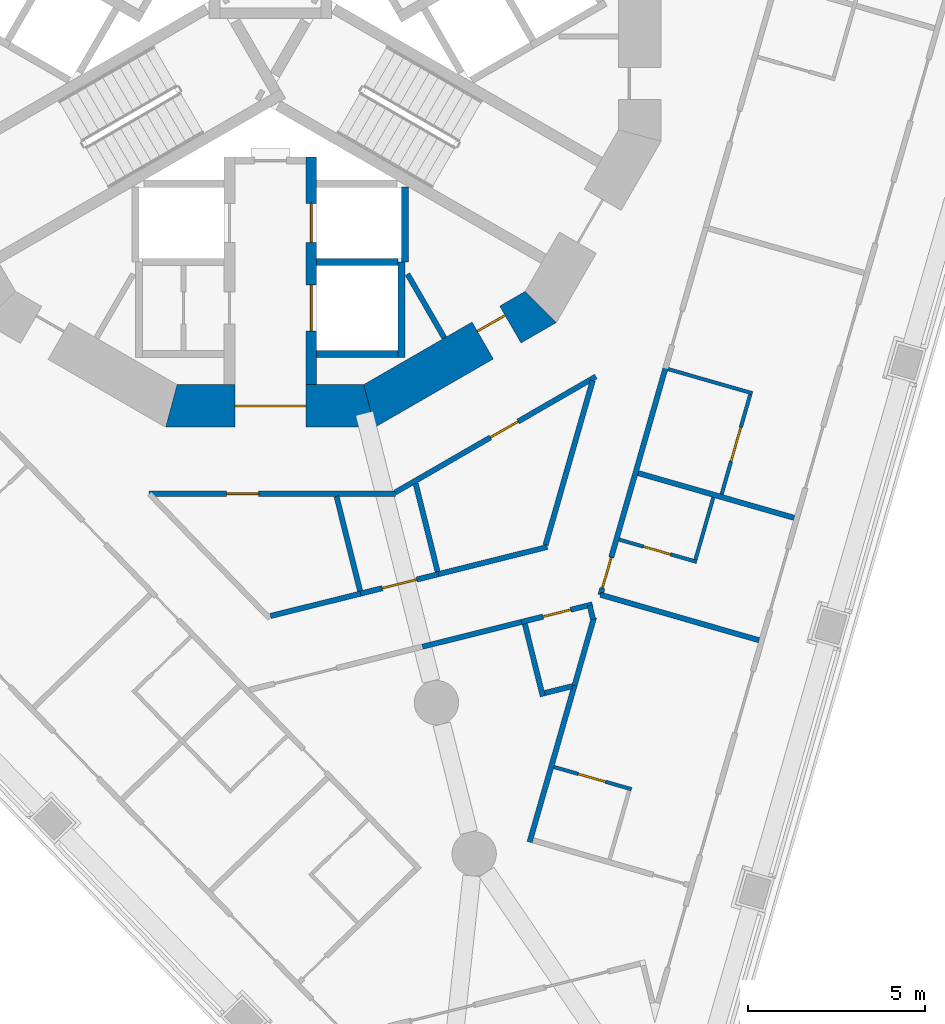
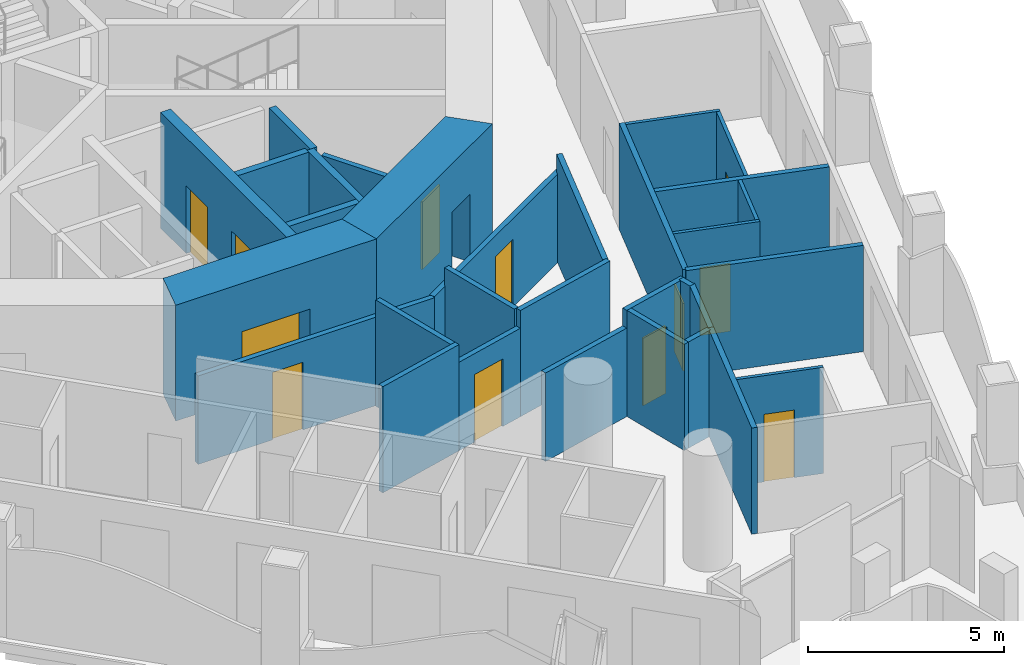
# One storey, part 4 of 18: 31 walls, 12 doors, 12 openings.
"""IFC4 building model written with IfcOpenShell, lengths in metres."""

import ifcopenshell
import ifcopenshell.guid

model = None  # the IFC model being written
_history = None  # IfcOwnerHistory: only IFC2X3 demands one
_inside = {}  # id of a spatial element -> (the spatial element, [elements in it])
_under = {}  # id of a project, library or spatial element -> (it, [spatial elements below it])
_declared = {}  # id of a project -> (the project, [libraries it declares])
_typed = {}  # id of a type object -> (the type object, [elements of that type])
_made_of = {}  # id of a material, layer set ... -> (it, [elements and type objects made of it])


def new_model(schema):
    """Start an empty IFC model of exactly this schema.

    Asked for "IFC4X3", IfcOpenShell would pick the latest addendum, in which some entities
    have other attributes; the version numbers below select the first issue.
    IFC2X3 requires an IfcOwnerHistory on every rooted entity: one is made here for all.
    """
    global model, _history
    if schema == "IFC4X3":
        model = ifcopenshell.file(schema_version=(4, 3, 0, 0))
    else:
        model = ifcopenshell.file(schema=schema)
    _inside.clear()
    _under.clear()
    _declared.clear()
    _typed.clear()
    _made_of.clear()
    _history = None
    if model.schema == "IFC2X3":
        org = make("IfcOrganization", Name="unknown")
        user = make(
            "IfcPersonAndOrganization",
            ThePerson=make("IfcPerson", FamilyName="unknown"),
            TheOrganization=org,
        )
        app = make(
            "IfcApplication",
            ApplicationDeveloper=org,
            Version="unknown",
            ApplicationFullName="unknown",
            ApplicationIdentifier="unknown",
        )
        _history = make(
            "IfcOwnerHistory",
            OwningUser=user,
            OwningApplication=app,
            ChangeAction="ADDED",
            CreationDate=0,
        )
    return model


def make(cls, **values):
    """One entity of the class cls with the attributes given. An attribute that is None is left unset."""
    return model.create_entity(
        cls, **{name: value for name, value in values.items() if value is not None}
    )


def rooted(cls, **values):
    """An entity with a GlobalId (a new one), such as an element, a storey or a relation."""
    return make(cls, GlobalId=ifcopenshell.guid.new(), OwnerHistory=_history, **values)


def si_unit(unit_type, name, prefix=None):
    """IfcSIUnit, for example si_unit("LENGTHUNIT", "METRE", prefix="MILLI")."""
    return make("IfcSIUnit", UnitType=unit_type, Prefix=prefix, Name=name)


def assignment(units):
    """IfcUnitAssignment: the units of a project."""
    return None if units is None else make("IfcUnitAssignment", Units=units)


def point(xyz):
    """IfcCartesianPoint."""
    return None if xyz is None else make("IfcCartesianPoint", Coordinates=xyz)


def direction(xyz):
    """IfcDirection."""
    return None if xyz is None else make("IfcDirection", DirectionRatios=xyz)


def frame(location, z_axis=None, x_axis=None):
    """IfcAxis2Placement3D, a coordinate frame: its origin and axes. An axis left out is left unset."""
    return make(
        "IfcAxis2Placement3D",
        Location=point(location),
        Axis=direction(z_axis),
        RefDirection=direction(x_axis),
    )


def frame_2d(location, x_axis=None):
    """IfcAxis2Placement2D, a coordinate frame in the plane: its origin and x axis."""
    return make(
        "IfcAxis2Placement2D", Location=point(location), RefDirection=direction(x_axis)
    )


def origin():
    """The frame at (0, 0, 0) with its axes left unset."""
    return frame((0.0, 0.0, 0.0))


def place(relative_to, where):
    """IfcLocalPlacement: puts the frame where relative to a parent placement (None: the world)."""
    return make(
        "IfcLocalPlacement", PlacementRelTo=relative_to, RelativePlacement=where
    )


def context(
    kind, dimensions, precision=None, world=None, true_north=None, identifier=None
):
    """IfcGeometricRepresentationContext, for example the 3D "Model" context."""
    return make(
        "IfcGeometricRepresentationContext",
        ContextIdentifier=identifier,
        ContextType=kind,
        CoordinateSpaceDimension=dimensions,
        Precision=precision,
        WorldCoordinateSystem=world,
        TrueNorth=true_north,
    )


def subcontext(parent, identifier, kind, view, scale=None):
    """IfcGeometricRepresentationSubContext, for example "Body" below "Model"."""
    return make(
        "IfcGeometricRepresentationSubContext",
        ContextIdentifier=identifier,
        ContextType=kind,
        ParentContext=parent,
        TargetScale=scale,
        TargetView=view,
    )


def project(units=None, contexts=None):
    """IfcProject with its units and contexts."""
    return rooted(
        "IfcProject",
        Name="project",
        RepresentationContexts=contexts,
        UnitsInContext=assignment(units),
    )


def spatial(cls, under=None, at=None, **own):
    """A site, building, storey or space (cls), placed at a placement, below another one or the project."""
    s = rooted(cls, ObjectPlacement=at, **own)
    if under is not None:
        _under.setdefault(under.id(), (under, []))[1].append(s)
    return s


def polyline(points):
    """IfcPolyline through the points."""
    return make("IfcPolyline", Points=[point(p) for p in points])


def profile(cls, at=None, kind="AREA", **sizes):
    """A parametric profile (cls). Its sizes go by their IFC names, for example OverallWidth=200.0."""
    return make(cls, ProfileType=kind, Position=at, **sizes)


def rectangle(**sizes):
    """IfcRectangleProfileDef."""
    return profile("IfcRectangleProfileDef", **sizes)


def outline(outer, holes=None, kind="AREA"):
    """IfcArbitraryClosedProfileDef: a profile drawn as a closed curve; with holes, ...WithVoids."""
    if holes is None:
        return make("IfcArbitraryClosedProfileDef", ProfileType=kind, OuterCurve=outer)
    return make(
        "IfcArbitraryProfileDefWithVoids",
        ProfileType=kind,
        OuterCurve=outer,
        InnerCurves=holes,
    )


def extrude(swept, where, along, depth):
    """IfcExtrudedAreaSolid: the profile swept, set in the frame where, extruded along a direction by depth."""
    return make(
        "IfcExtrudedAreaSolid",
        SweptArea=swept,
        Position=where,
        ExtrudedDirection=direction(along),
        Depth=depth,
    )


def shape(context_of_items, identifier, shape_type, items):
    """IfcShapeRepresentation: the items that make up one representation, for example the "Body"."""
    return make(
        "IfcShapeRepresentation",
        ContextOfItems=context_of_items,
        RepresentationIdentifier=identifier,
        RepresentationType=shape_type,
        Items=items,
    )


def material(Name=None, Category=None):
    """IfcMaterial."""
    return make("IfcMaterial", Name=Name, Category=Category)


def layer(
    of_material, thickness, ventilated=None, Name=None, Category=None, Priority=None
):
    """IfcMaterialLayer: one layer of a wall or slab, of a material (None: an air gap)."""
    return make(
        "IfcMaterialLayer",
        Material=of_material,
        LayerThickness=thickness,
        IsVentilated=ventilated,
        Name=Name,
        Category=Category,
        Priority=Priority,
    )


def layer_set(layers, Name=None):
    """IfcMaterialLayerSet."""
    return make("IfcMaterialLayerSet", MaterialLayers=layers, LayerSetName=Name)


def made_of(thing, what):
    """Note that an element or type object is made of a material, layer set ...; save() writes the relation."""
    if what is not None:
        _made_of.setdefault(what.id(), (what, []))[1].append(thing)
    return thing


def type_object(cls, material=None, **own):
    """A type object (cls), such as IfcWallType, which elements share."""
    return made_of(rooted(cls, **own), material)


def element(
    cls,
    number,
    at=None,
    inside=None,
    cuts=None,
    type_object=None,
    material=None,
    context=None,
    identifier="Body",
    shape_type=None,
    held_by="IfcProductDefinitionShape",
    body=None,
    shapes=None,
    **own,
):
    """One element of the class cls, such as IfcWall. Its Tag is "e" and its number.

    at: its placement. inside: the storey or other place that contains it. cuts: it is an
    opening in that element (IfcRelVoidsElement). A single representation is given by context,
    identifier, shape_type and body (its items); several are given by shapes. held_by: the class
    of the entity that holds the representations. save() writes the other relations.
    """
    e = rooted(cls, Tag="e%d" % number, ObjectPlacement=at, **own)
    if body is not None:
        shapes = [shape(context, identifier, shape_type, body)]
    if shapes is not None:
        e.Representation = make(held_by, Representations=shapes)
    if inside is not None:
        _inside.setdefault(inside.id(), (inside, []))[1].append(e)
    if cuts is not None:
        rooted(
            "IfcRelVoidsElement", RelatingBuildingElement=cuts, RelatedOpeningElement=e
        )
    if type_object is not None:
        _typed.setdefault(type_object.id(), (type_object, []))[1].append(e)
    return made_of(e, material)


def fill(opening, filler):
    """IfcRelFillsElement: the door or window that sits in an opening."""
    return rooted(
        "IfcRelFillsElement",
        RelatingOpeningElement=opening,
        RelatedBuildingElement=filler,
    )


def aggregate(whole, parts):
    """IfcRelAggregates: a whole, such as a stair, and the parts it consists of."""
    return rooted("IfcRelAggregates", RelatingObject=whole, RelatedObjects=parts)


def save(model, path):
    """Write the relations noted so far, then the file.

    IfcRelAggregates (storeys below a building ...), IfcRelContainedInSpatialStructure (elements
    in a storey), IfcRelDefinesByType, IfcRelAssociatesMaterial and IfcRelDeclares: one each for
    every whole, place, type object, material and project.
    """
    for whole, parts in _under.values():
        aggregate(whole, parts)
    for where, things in _inside.values():
        rooted(
            "IfcRelContainedInSpatialStructure",
            RelatedElements=things,
            RelatingStructure=where,
        )
    for kind, things in _typed.values():
        rooted("IfcRelDefinesByType", RelatedObjects=things, RelatingType=kind)
    for what, things in _made_of.values():
        rooted("IfcRelAssociatesMaterial", RelatedObjects=things, RelatingMaterial=what)
    for by, libraries in _declared.values():
        rooted("IfcRelDeclares", RelatingContext=by, RelatedDefinitions=libraries)
    model.write(path)


model = new_model("IFC4")

# Units and contexts
model_context = context("Model", 3, precision=1e-05, world=origin(), true_north=direction((0.0, 1.0)))
body_context = subcontext(model_context, "Body", "Model", "MODEL_VIEW")
ifc_project = project(units=[si_unit("LENGTHUNIT", "METRE"), si_unit("AREAUNIT", "SQUARE_METRE"), si_unit("VOLUMEUNIT", "CUBIC_METRE"), si_unit("PLANEANGLEUNIT", "RADIAN"), si_unit("MASSUNIT", "GRAM", prefix="KILO")], contexts=[model_context])

# Site, building, storey
site_placement = place(None, origin())
site = spatial("IfcSite", under=ifc_project, at=site_placement, CompositionType="ELEMENT")
building_placement = place(site_placement, origin())
building = spatial("IfcBuilding", under=site, at=building_placement, Name="Trine Commons Tower", CompositionType="ELEMENT")
storey_placement = place(building_placement, frame((0.0, 0.0, 94.5)))
storey = spatial("IfcBuildingStorey", under=building, at=storey_placement, Name="L23", CompositionType="ELEMENT", Elevation=94.5)

# Wall
ifc_material_1 = material(Name="Plasterboard partition on steel studs", Category="steel")
ifc_layer_1 = layer(ifc_material_1, 0.14990234375)
ifc_layer_set_1 = layer_set([ifc_layer_1], Name="Plasterboard partition on steel studs")
wall_type_1 = type_object("IfcWallType", Name="Core room partition 150 mm, EI 60", PredefinedType="PARTITIONING", material=ifc_layer_set_1)
wall_1_placement = place(storey_placement, frame((84.905029296875, 54.0029296875, 0.0), z_axis=(0.0, 0.0, 1.0), x_axis=(-0.5000780968, 0.865980309881, 0.0)))
element("IfcWall", 1, at=wall_1_placement, inside=storey, type_object=wall_type_1, Name="Core room partition L23", PredefinedType="PARTITIONING", context=body_context, shape_type="SweptSolid", body=[
    extrude(rectangle(XDim=2.079833984375, YDim=0.14990234375, at=frame_2d((1.0400390625, 0.0))), origin(), (0.0, 0.0, 1.0), 3.300048828125),
])

# Wall, opening, door
ifc_material_2 = material(Name="Concrete C70/85", Category="concrete")
ifc_layer_2 = layer(ifc_material_2, 1.199951171875)
ifc_layer_set_2 = layer_set([ifc_layer_2], Name="Concrete C70/85")
wall_type_2 = type_object("IfcWallType", Name="RC shear wall 1200 mm, C70/85", PredefinedType="SHEAR", material=ifc_layer_set_2)
wall_2_placement = place(storey_placement, frame((77.049560546875, 52.08837890625, 0.0), z_axis=(0.0, 0.0, 1.0), x_axis=(1.0, 0.0, 0.0)))
wall_2 = element("IfcWall", 2, at=wall_2_placement, inside=storey, type_object=wall_type_2, Name="Core wall CWC-10 L23", PredefinedType="SHEAR", context=body_context, shape_type="SweptSolid", body=[
    extrude(outline(polyline([(0.0, -0.60009765625), (5.90087890625, -0.60009765625), (5.57958984375, 0.60009765625), (0.321533203125, 0.60009765625), (0.0, -0.60009765625)])), origin(), (0.0, 0.0, 1.0), 3.60009765625),
])
opening_1_placement = place(wall_2_placement, frame((1.950439453125, 0.0, 0.0)))
opening_1 = element("IfcOpeningElement", 3, at=opening_1_placement, cuts=wall_2, Name="Opening K06.08", PredefinedType="OPENING", context=body_context, shape_type="SweptSolid", body=[
    extrude(rectangle(XDim=2.0, YDim=2.10009765625, at=frame_2d((1.0, 1.050048828125))), frame((0.0, 0.60986328125, 0.0), z_axis=(0.0, -1.0, 0.0), x_axis=(1.0, 0.0, 0.0)), (0.0, 0.0, 1.0), 1.219970703125),
])
ifc_material_3 = material(Name="Steel door leaves, fire-rated", Category="steel")
door_type_1 = type_object("IfcDoorType", Name="Lobby door, double leaf 2000 x 2100, FD60", OperationType="DOUBLE_DOOR_SINGLE_SWING", PredefinedType="DOOR", material=ifc_material_3)
door_1_placement = place(opening_1_placement, origin())
door_1 = element("IfcDoor", 4, at=door_1_placement, inside=storey, type_object=door_type_1, Name="Lobby door, Service and firefighting lobby L23", OperationType="DOUBLE_DOOR_SINGLE_SWING", OverallHeight=2.10009765625, OverallWidth=2.0, PredefinedType="DOOR", context=body_context, shape_type="SweptSolid", body=[
    extrude(rectangle(XDim=2.0, YDim=2.10009765625, at=frame_2d((1.0, 1.050048828125))), frame((0.0, 0.02490234375, 0.0), z_axis=(0.0, -1.0, 0.0), x_axis=(1.0, 0.0, 0.0)), (0.0, 0.0, 1.0), 0.050048828125),
])
fill(opening_1, door_1)

wall_3_placement = place(storey_placement, frame((82.650390625, 52.008056640625, 0.0), z_axis=(0.0, 0.0, 1.0), x_axis=(0.866037463336, 0.499979111662, 0.0)))
wall_3 = element("IfcWall", 5, at=wall_3_placement, inside=storey, type_object=wall_type_2, Name="Core wall CWC-11 L23", PredefinedType="SHEAR", context=body_context, shape_type="SweptSolid", body=[
    extrude(outline(polyline([(0.0, -0.60009765625), (5.901123046875, -0.60009765625), (5.57958984375, 0.60009765625), (0.321533203125, 0.60009765625), (0.0, -0.60009765625)])), origin(), (0.0, 0.0, 1.0), 3.60009765625),
])
opening_2_placement = place(wall_3_placement, frame((3.849853515625, 0.0, 0.0)))
opening_2 = element("IfcOpeningElement", 6, at=opening_2_placement, cuts=wall_3, Name="Opening K06.16", PredefinedType="OPENING", context=body_context, shape_type="SweptSolid", body=[
    extrude(rectangle(XDim=0.89990234375, YDim=2.10009765625, at=frame_2d((0.449951171875, 1.050048828125))), frame((0.0, 0.60986328125, 0.0), z_axis=(0.0, -1.0, 0.0), x_axis=(1.0, 0.0, 0.0)), (0.0, 0.0, 1.0), 1.219970703125),
])
ifc_material_4 = material(Name="Steel door leaf, fire-rated", Category="steel")
door_type_2 = type_object("IfcDoorType", Name="Core room door, single leaf 900 x 2100, FD30S", OperationType="SINGLE_SWING_LEFT", PredefinedType="DOOR", material=ifc_material_4)
door_2_placement = place(opening_2_placement, origin())
door_2 = element("IfcDoor", 7, at=door_2_placement, inside=storey, type_object=door_type_2, Name="Door to Cleaner's store L23", OperationType="SINGLE_SWING_RIGHT", OverallHeight=2.10009765625, OverallWidth=0.89990234375, PredefinedType="DOOR", context=body_context, shape_type="SweptSolid", body=[
    extrude(rectangle(XDim=0.89990234375, YDim=2.10009765625, at=frame_2d((0.449951171875, 1.050048828125))), frame((0.0, 0.3251953125, 0.0), z_axis=(0.0, -1.0, 0.0), x_axis=(1.0, 0.0, 0.0)), (0.0, 0.0, 1.0), 0.050048828125),
])
fill(opening_2, door_2)

# Wall, openings, doors
ifc_layer_3 = layer(ifc_material_2, 0.300048828125)
ifc_layer_set_3 = layer_set([ifc_layer_3], Name="Concrete C70/85")
wall_type_3 = type_object("IfcWallType", Name="RC shear wall 300 mm, C70/85", PredefinedType="SHEAR", material=ifc_layer_set_3)
wall_4_placement = place(storey_placement, frame((81.14990234375, 59.10009765625, 0.0), z_axis=(0.0, 0.0, 1.0), x_axis=(0.0, -1.0, 0.0)))
wall_4 = element("IfcWall", 8, at=wall_4_placement, inside=storey, type_object=wall_type_3, Name="Core cross wall SWA-04 L23", PredefinedType="SHEAR", context=body_context, shape_type="SweptSolid", body=[
    extrude(rectangle(XDim=6.412109375, YDim=0.300048828125, at=frame_2d((3.2060546875, 0.0))), origin(), (0.0, 0.0, 1.0), 3.60009765625),
])
opening_3_placement = place(wall_4_placement, frame((3.60009765625, 0.0, 0.0)))
opening_3 = element("IfcOpeningElement", 9, at=opening_3_placement, cuts=wall_4, Name="Opening LD11", PredefinedType="OPENING", context=body_context, shape_type="SweptSolid", body=[
    extrude(rectangle(XDim=1.300048828125, YDim=2.10009765625, at=frame_2d((0.64990234375, 1.050048828125))), frame((0.0, 0.159912109375, 0.0), z_axis=(0.0, -1.0, 0.0), x_axis=(1.0, 0.0, 0.0)), (0.0, 0.0, 1.0), 0.320068359375),
])
opening_4_placement = place(wall_4_placement, frame((1.300048828125, 0.0, 0.0)))
opening_4 = element("IfcOpeningElement", 10, at=opening_4_placement, cuts=wall_4, Name="Opening LD9", PredefinedType="OPENING", context=body_context, shape_type="SweptSolid", body=[
    extrude(rectangle(XDim=1.10009765625, YDim=2.10009765625, at=frame_2d((0.550048828125, 1.050048828125))), frame((0.0, 0.159912109375, 0.0), z_axis=(0.0, -1.0, 0.0), x_axis=(1.0, 0.0, 0.0)), (0.0, 0.0, 1.0), 0.320068359375),
])
ifc_material_5 = material(Name="Stainless steel sliding door leaves", Category="steel")
door_type_3 = type_object("IfcDoorType", Name="Lift landing door, centre-opening sliding 1100 x 2100, FD90", OperationType="DOUBLE_DOOR_SLIDING", PredefinedType="DOOR", material=ifc_material_5)
door_3_placement = place(opening_4_placement, origin())
door_3 = element("IfcDoor", 11, at=door_3_placement, inside=storey, type_object=door_type_3, Name="Lift landing door FF1 L23", OperationType="DOUBLE_DOOR_SLIDING", OverallHeight=2.10009765625, OverallWidth=1.10009765625, PredefinedType="DOOR", context=body_context, shape_type="SweptSolid", body=[
    extrude(rectangle(XDim=1.10009765625, YDim=2.10009765625, at=frame_2d((0.550048828125, 1.050048828125))), frame((0.0, 0.02490234375, 0.0), z_axis=(0.0, -1.0, 0.0), x_axis=(1.0, 0.0, 0.0)), (0.0, 0.0, 1.0), 0.050048828125),
])
fill(opening_4, door_3)
door_type_4 = type_object("IfcDoorType", Name="Lift landing door, centre-opening sliding 1300 x 2100, FD90", OperationType="DOUBLE_DOOR_SLIDING", PredefinedType="DOOR", material=ifc_material_5)
door_4_placement = place(opening_3_placement, origin())
door_4 = element("IfcDoor", 12, at=door_4_placement, inside=storey, type_object=door_type_4, Name="Lift landing door G1 L23", OperationType="DOUBLE_DOOR_SLIDING", OverallHeight=2.10009765625, OverallWidth=1.300048828125, PredefinedType="DOOR", context=body_context, shape_type="SweptSolid", body=[
    extrude(rectangle(XDim=1.300048828125, YDim=2.10009765625, at=frame_2d((0.64990234375, 1.050048828125))), frame((0.0, 0.02490234375, 0.0), z_axis=(0.0, -1.0, 0.0), x_axis=(1.0, 0.0, 0.0)), (0.0, 0.0, 1.0), 0.050048828125),
])
fill(opening_3, door_4)

# Walls
ifc_material_6 = material(Name="Fire-rated gypsum shaft wall system")
ifc_layer_4 = layer(ifc_material_6, 0.199951171875)
ifc_layer_set_4 = layer_set([ifc_layer_4], Name="Fire-rated gypsum shaft wall system")
wall_type_4 = type_object("IfcWallType", Name="Shaft wall 200 mm, EI 120", PredefinedType="PARTITIONING", material=ifc_layer_set_4)
for number, where, z_axis, x_axis, name in (
    (13, (81.300048828125, 53.550048828125, 0.0), (0.0, 0.0, 1.0), (1.0, 0.0, 0.0), "Shaft wall L23"),
    (14, (81.300048828125, 56.14990234375, 0.0), (0.0, 0.0, 1.0), (1.0, 0.0, 0.0), "Shaft wall L23"),
):
    element("IfcWall", number, at=place(storey_placement, frame(where, z_axis=z_axis, x_axis=x_axis)), inside=storey, type_object=wall_type_4, Name=name, PredefinedType="PARTITIONING", context=body_context, shape_type="SweptSolid", body=[
        extrude(rectangle(XDim=2.300048828125, YDim=0.199951171875, at=frame_2d((1.14990234375, 0.0))), origin(), (0.0, 0.0, 1.0), 3.300048828125),
    ])
wall_5_placement = place(storey_placement, frame((83.699951171875, 56.14990234375, 0.0), z_axis=(0.0, 0.0, 1.0), x_axis=(0.0, -1.0, 0.0)))
element("IfcWall", 15, at=wall_5_placement, inside=storey, type_object=wall_type_4, Name="Shaft wall L23", PredefinedType="PARTITIONING", context=body_context, shape_type="SweptSolid", body=[
    extrude(rectangle(XDim=2.699951171875, YDim=0.199951171875, at=frame_2d((1.35009765625, 0.0))), origin(), (0.0, 0.0, 1.0), 3.300048828125),
])
wall_6_placement = place(storey_placement, frame((83.800048828125, 58.256103515625, 0.0), z_axis=(0.0, 0.0, 1.0), x_axis=(0.0, -1.0, 0.0)))
element("IfcWall", 16, at=wall_6_placement, inside=storey, type_object=wall_type_4, Name="Shaft wall L23", PredefinedType="PARTITIONING", context=body_context, shape_type="SweptSolid", body=[
    extrude(rectangle(XDim=2.106201171875, YDim=0.199951171875, at=frame_2d((1.05322265625, 0.0))), origin(), (0.0, 0.0, 1.0), 3.300048828125),
])

# Wall, opening, door
ifc_material_7 = material(Name="Gypsum plasterboard on steel stud", Category="steel")
ifc_layer_5 = layer(ifc_material_7, 0.14990234375)
ifc_layer_set_5 = layer_set([ifc_layer_5], Name="Gypsum plasterboard on steel stud")
wall_type_5 = type_object("IfcWallType", Name="Unit and corridor wall 150 mm, EI 60", PredefinedType="PARTITIONING", material=ifc_layer_set_5)
wall_7_placement = place(storey_placement, frame((76.583984375, 49.613037109375, 0.0), z_axis=(0.0, 0.0, 1.0), x_axis=(1.0, 0.0, 0.0)))
wall_7 = element("IfcWall", 17, at=wall_7_placement, inside=storey, type_object=wall_type_5, Name="Partition 057", PredefinedType="PARTITIONING", context=body_context, shape_type="SweptSolid", body=[
    extrude(rectangle(XDim=6.944091796875, YDim=0.14990234375, at=frame_2d((3.47216796875, 0.0))), origin(), (0.0, 0.0, 1.0), 2.75),
])
opening_5_placement = place(wall_7_placement, frame((2.18359375, 0.0, 0.0)))
opening_5 = element("IfcOpeningElement", 18, at=opening_5_placement, cuts=wall_7, Name="Opening D-3A32", PredefinedType="OPENING", context=body_context, shape_type="SweptSolid", body=[
    extrude(rectangle(XDim=0.89990234375, YDim=2.10009765625, at=frame_2d((0.449951171875, 1.050048828125))), frame((0.0, 0.0849609375, 0.0), z_axis=(0.0, -1.0, 0.0), x_axis=(1.0, 0.0, 0.0)), (0.0, 0.0, 1.0), 0.169921875),
])
ifc_material_8 = material(Name="Timber fire door set", Category="wood")
door_type_5 = type_object("IfcDoorType", Name="Service door 900 x 2100, FD30S", OperationType="NOTDEFINED", PredefinedType="DOOR", material=ifc_material_8)
door_5_placement = place(opening_5_placement, frame((0.89990234375, 0.0, 0.0), z_axis=(0.0, 0.0, 1.0), x_axis=(-1.0, 0.0, 0.0)))
door_5 = element("IfcDoor", 19, at=door_5_placement, inside=storey, type_object=door_type_5, Name="Door D-3A32", OperationType="SINGLE_SWING_RIGHT", OverallHeight=2.10009765625, OverallWidth=0.89990234375, PredefinedType="DOOR", context=body_context, shape_type="SweptSolid", body=[
    extrude(rectangle(XDim=0.89990234375, YDim=2.10009765625, at=frame_2d((0.449951171875, 1.050048828125))), frame((0.0, 0.02490234375, 0.0), z_axis=(0.0, -1.0, 0.0), x_axis=(1.0, 0.0, 0.0)), (0.0, 0.0, 1.0), 0.050048828125),
])
fill(opening_5, door_5)

# Walls
wall_8_placement = place(storey_placement, frame((80.005859375, 46.168212890625, 0.0), z_axis=(0.0, 0.0, 1.0), x_axis=(0.970307222534, 0.241875781957, 0.0)))
element("IfcWall", 20, at=wall_8_placement, inside=storey, type_object=wall_type_5, Name="Partition 066", PredefinedType="PARTITIONING", context=body_context, shape_type="SweptSolid", body=[
    extrude(rectangle(XDim=2.698974609375, YDim=0.14990234375, at=frame_2d((1.349609375, 0.0))), origin(), (0.0, 0.0, 1.0), 3.300048828125),
])
wall_9_placement = place(storey_placement, frame((81.864990234375, 49.540283203125, 0.0), z_axis=(0.0, 0.0, 1.0), x_axis=(0.24199191412, -0.970278266015, 0.0)))
element("IfcWall", 21, at=wall_9_placement, inside=storey, type_object=wall_type_5, Name="Partition 071", PredefinedType="PARTITIONING", context=body_context, shape_type="SweptSolid", body=[
    extrude(rectangle(XDim=2.7470703125, YDim=0.14990234375, at=frame_2d((1.37353515625, 0.0))), origin(), (0.0, 0.0, 1.0), 3.300048828125),
])

# Wall, opening, door
wall_10_placement = place(storey_placement, frame((82.5439453125, 46.801025390625, 0.0), z_axis=(0.0, 0.0, 1.0), x_axis=(0.970237811433, 0.242154061015, 0.0)))
wall_10 = element("IfcWall", 22, at=wall_10_placement, inside=storey, type_object=wall_type_5, Name="Partition 072", PredefinedType="PARTITIONING", context=body_context, shape_type="SweptSolid", body=[
    extrude(rectangle(XDim=2.25830078125, YDim=0.14990234375, at=frame_2d((1.129150390625, 0.0))), origin(), (0.0, 0.0, 1.0), 2.75),
])
opening_6_placement = place(wall_10_placement, frame((0.629150390625, 0.0, 0.0)))
opening_6 = element("IfcOpeningElement", 23, at=opening_6_placement, cuts=wall_10, Name="Opening D-3A35", PredefinedType="OPENING", context=body_context, shape_type="SweptSolid", body=[
    extrude(rectangle(XDim=1.0, YDim=2.10009765625, at=frame_2d((0.5, 1.050048828125))), frame((0.0, 0.0849609375, 0.0), z_axis=(0.0, -1.0, 0.0), x_axis=(1.0, 0.0, 0.0)), (0.0, 0.0, 1.0), 0.169921875),
])
ifc_material_9 = material(Name="Painted timber", Category="wood")
door_type_6 = type_object("IfcDoorType", Name="Toilet door 1000 x 2100, NOT RATED", OperationType="NOTDEFINED", PredefinedType="DOOR", material=ifc_material_9)
door_6_placement = place(opening_6_placement, origin())
door_6 = element("IfcDoor", 24, at=door_6_placement, inside=storey, type_object=door_type_6, Name="Door D-3A35", OperationType="SINGLE_SWING_RIGHT", OverallHeight=2.10009765625, OverallWidth=1.0, PredefinedType="DOOR", context=body_context, shape_type="SweptSolid", body=[
    extrude(rectangle(XDim=1.0, YDim=2.10009765625, at=frame_2d((0.5, 1.050048828125))), frame((0.0, 0.02490234375, 0.0), z_axis=(0.0, -1.0, 0.0), x_axis=(1.0, 0.0, 0.0)), (0.0, 0.0, 1.0), 0.050048828125),
])
fill(opening_6, door_6)

wall_11_placement = place(storey_placement, frame((83.51806640625, 49.650390625, 0.0), z_axis=(0.0, 0.0, 1.0), x_axis=(0.866021893259, 0.50000608036, 0.0)))
wall_11 = element("IfcWall", 25, at=wall_11_placement, inside=storey, type_object=wall_type_5, Name="Partition 073", PredefinedType="PARTITIONING", context=body_context, shape_type="SweptSolid", body=[
    extrude(rectangle(XDim=6.5322265625, YDim=0.14990234375, at=frame_2d((3.26611328125, 0.0))), origin(), (0.0, 0.0, 1.0), 2.75),
])
opening_7_placement = place(wall_11_placement, frame((3.09912109375, 0.0, 0.0)))
opening_7 = element("IfcOpeningElement", 26, at=opening_7_placement, cuts=wall_11, Name="Opening D-3A31", PredefinedType="OPENING", context=body_context, shape_type="SweptSolid", body=[
    extrude(rectangle(XDim=0.89990234375, YDim=2.10009765625, at=frame_2d((0.449951171875, 1.050048828125))), frame((0.0, 0.0849609375, 0.0), z_axis=(0.0, -1.0, 0.0), x_axis=(1.0, 0.0, 0.0)), (0.0, 0.0, 1.0), 0.169921875),
])
door_7_placement = place(opening_7_placement, frame((0.89990234375, 0.0, 0.0), z_axis=(0.0, 0.0, 1.0), x_axis=(-1.0, 0.0, 0.0)))
door_7 = element("IfcDoor", 27, at=door_7_placement, inside=storey, type_object=door_type_5, Name="Door D-3A31", OperationType="SINGLE_SWING_LEFT", OverallHeight=2.10009765625, OverallWidth=0.89990234375, PredefinedType="DOOR", context=body_context, shape_type="SweptSolid", body=[
    extrude(rectangle(XDim=0.89990234375, YDim=2.10009765625, at=frame_2d((0.449951171875, 1.050048828125))), frame((0.0, 0.02490234375, 0.0), z_axis=(0.0, -1.0, 0.0), x_axis=(1.0, 0.0, 0.0)), (0.0, 0.0, 1.0), 0.050048828125),
])
fill(opening_7, door_7)

# Walls
wall_12_placement = place(storey_placement, frame((84.09521484375, 49.900146484375, 0.0), z_axis=(0.0, 0.0, 1.0), x_axis=(0.241659013466, -0.970361232331, 0.0)))
element("IfcWall", 28, at=wall_12_placement, inside=storey, type_object=wall_type_5, Name="Partition 076", PredefinedType="PARTITIONING", context=body_context, shape_type="SweptSolid", body=[
    extrude(rectangle(XDim=2.555908203125, YDim=0.14990234375, at=frame_2d((1.27783203125, 0.0))), origin(), (0.0, 0.0, 1.0), 3.300048828125),
])
wall_13_placement = place(storey_placement, frame((84.2880859375, 45.303955078125, 0.0), z_axis=(0.0, 0.0, 1.0), x_axis=(0.970312264522, 0.241855554658, 0.0)))
element("IfcWall", 29, at=wall_13_placement, inside=storey, type_object=wall_type_5, Name="Partition 077", PredefinedType="PARTITIONING", context=body_context, shape_type="SweptSolid", body=[
    extrude(rectangle(XDim=2.956787109375, YDim=0.14990234375, at=frame_2d((1.478515625, 0.0))), origin(), (0.0, 0.0, 1.0), 2.75),
])
wall_14_placement = place(storey_placement, frame((84.72705078125, 47.345947265625, 0.0), z_axis=(0.0, 0.0, 1.0), x_axis=(0.970300600618, 0.241902344841, 0.0)))
element("IfcWall", 30, at=wall_14_placement, inside=storey, type_object=wall_type_5, Name="Partition 079", PredefinedType="PARTITIONING", context=body_context, shape_type="SweptSolid", body=[
    extrude(rectangle(XDim=3.175048828125, YDim=0.14990234375, at=frame_2d((1.58740234375, 0.0))), origin(), (0.0, 0.0, 1.0), 3.300048828125),
])

# Wall, opening, door
wall_15_placement = place(storey_placement, frame((87.076171875, 45.998779296875, 0.0), z_axis=(0.0, 0.0, 1.0), x_axis=(0.970351527821, 0.241697977766, 0.0)))
wall_15 = element("IfcWall", 31, at=wall_15_placement, inside=storey, type_object=wall_type_5, Name="Partition 083", PredefinedType="PARTITIONING", context=body_context, shape_type="SweptSolid", body=[
    extrude(rectangle(XDim=2.0576171875, YDim=0.14990234375, at=frame_2d((1.02880859375, 0.0))), origin(), (0.0, 0.0, 1.0), 3.300048828125),
])
opening_8_placement = place(wall_15_placement, frame((0.62890625, 0.0, 0.0)))
opening_8 = element("IfcOpeningElement", 32, at=opening_8_placement, cuts=wall_15, Name="Opening D-3A05", PredefinedType="OPENING", context=body_context, shape_type="SweptSolid", body=[
    extrude(rectangle(XDim=0.800048828125, YDim=2.10009765625, at=frame_2d((0.39990234375, 1.050048828125))), frame((0.0, 0.0849609375, 0.0), z_axis=(0.0, -1.0, 0.0), x_axis=(1.0, 0.0, 0.0)), (0.0, 0.0, 1.0), 0.169921875),
])
door_type_7 = type_object("IfcDoorType", Name="Toilet door 800 x 2100, NOT RATED", OperationType="NOTDEFINED", PredefinedType="DOOR", material=ifc_material_9)
door_8_placement = place(opening_8_placement, frame((0.800048828125, 0.0, 0.0), z_axis=(0.0, 0.0, 1.0), x_axis=(-1.0, 0.0, 0.0)))
door_8 = element("IfcDoor", 33, at=door_8_placement, inside=storey, type_object=door_type_7, Name="Door D-3A05", OperationType="SINGLE_SWING_LEFT", OverallHeight=2.10009765625, OverallWidth=0.800048828125, PredefinedType="DOOR", context=body_context, shape_type="SweptSolid", body=[
    extrude(rectangle(XDim=0.800048828125, YDim=2.10009765625, at=frame_2d((0.39990234375, 1.050048828125))), frame((0.0, 0.02490234375, 0.0), z_axis=(0.0, -1.0, 0.0), x_axis=(1.0, 0.0, 0.0)), (0.0, 0.0, 1.0), 0.050048828125),
])
fill(opening_8, door_8)

# Walls
wall_16_placement = place(storey_placement, frame((87.171142578125, 45.9453125, 0.0), z_axis=(0.0, 0.0, 1.0), x_axis=(0.241879199479, -0.970306370617, 0.0)))
element("IfcWall", 34, at=wall_16_placement, inside=storey, type_object=wall_type_5, Name="Partition 084", PredefinedType="PARTITIONING", context=body_context, shape_type="SweptSolid", body=[
    extrude(rectangle(XDim=2.100341796875, YDim=0.14990234375, at=frame_2d((1.05029296875, 0.0))), origin(), (0.0, 0.0, 1.0), 3.300048828125),
])
wall_17_placement = place(storey_placement, frame((87.306396484375, 39.7958984375, 0.0), z_axis=(0.0, 0.0, 1.0), x_axis=(0.275592342239, 0.961274602234, 0.0)))
element("IfcWall", 35, at=wall_17_placement, inside=storey, type_object=wall_type_5, Name="Partition 085", PredefinedType="PARTITIONING", context=body_context, shape_type="SweptSolid", body=[
    extrude(rectangle(XDim=4.5888671875, YDim=0.14990234375, at=frame_2d((2.29443359375, 0.0))), origin(), (0.0, 0.0, 1.0), 3.300048828125),
])
wall_18_placement = place(storey_placement, frame((87.73388671875, 43.998291015625, 0.0), z_axis=(0.0, 0.0, 1.0), x_axis=(0.970342701531, 0.241733410155, 0.0)))
element("IfcWall", 36, at=wall_18_placement, inside=storey, type_object=wall_type_5, Name="Partition 087", PredefinedType="PARTITIONING", context=body_context, shape_type="SweptSolid", body=[
    extrude(rectangle(XDim=0.787841796875, YDim=0.14990234375, at=frame_2d((0.39404296875, 0.0))), origin(), (0.0, 0.0, 1.0), 3.300048828125),
])
wall_19_placement = place(storey_placement, frame((87.755615234375, 48.168212890625, 0.0), z_axis=(0.0, 0.0, 1.0), x_axis=(0.275589878427, 0.961275308592, 0.0)))
element("IfcWall", 37, at=wall_19_placement, inside=storey, type_object=wall_type_5, Name="Partition 088", PredefinedType="PARTITIONING", context=body_context, shape_type="SweptSolid", body=[
    extrude(rectangle(XDim=4.824462890625, YDim=0.14990234375, at=frame_2d((2.412109375, 0.0))), origin(), (0.0, 0.0, 1.0), 3.300048828125),
])
wall_20_placement = place(storey_placement, frame((88.571044921875, 44.20703125, 0.0), z_axis=(0.0, 0.0, 1.0), x_axis=(0.275350032507, 0.961344038104, 0.0)))
element("IfcWall", 38, at=wall_20_placement, inside=storey, type_object=wall_type_5, Name="Partition 093", PredefinedType="PARTITIONING", context=body_context, shape_type="SweptSolid", body=[
    extrude(rectangle(XDim=1.99951171875, YDim=0.14990234375, at=frame_2d((0.999755859375, 0.0))), origin(), (0.0, 0.0, 1.0), 3.300048828125),
])
wall_21_placement = place(storey_placement, frame((89.0, 46.461669921875, 0.0), z_axis=(0.0, 0.0, 1.0), x_axis=(0.242248462582, -0.970214245606, 0.0)))
element("IfcWall", 39, at=wall_21_placement, inside=storey, type_object=wall_type_5, Name="Partition 095", PredefinedType="PARTITIONING", context=body_context, shape_type="SweptSolid", body=[
    extrude(rectangle(XDim=0.400146484375, YDim=0.14990234375, at=frame_2d((0.2001953125, 0.0))), origin(), (0.0, 0.0, 1.0), 3.300048828125),
])

# Wall, opening, door
wall_22_placement = place(storey_placement, frame((89.303955078125, 46.762939453125, 0.0), z_axis=(0.0, 0.0, 1.0), x_axis=(0.275650305542, 0.96125798257, 0.0)))
wall_22 = element("IfcWall", 40, at=wall_22_placement, inside=storey, type_object=wall_type_5, Name="Partition 096", PredefinedType="PARTITIONING", context=body_context, shape_type="SweptSolid", body=[
    extrude(rectangle(XDim=6.69677734375, YDim=0.14990234375, at=frame_2d((3.348388671875, 0.0))), origin(), (0.0, 0.0, 1.0), 3.300048828125),
])
opening_9_placement = place(wall_22_placement, frame((0.197998046875, 0.0, 0.0)))
opening_9 = element("IfcOpeningElement", 41, at=opening_9_placement, cuts=wall_22, Name="Opening D-3A20", PredefinedType="OPENING", context=body_context, shape_type="SweptSolid", body=[
    extrude(rectangle(XDim=0.89990234375, YDim=2.10009765625, at=frame_2d((0.449951171875, 1.050048828125))), frame((0.0, 0.0849609375, 0.0), z_axis=(0.0, -1.0, 0.0), x_axis=(1.0, 0.0, 0.0)), (0.0, 0.0, 1.0), 0.169921875),
])
door_type_8 = type_object("IfcDoorType", Name="Bedroom door 900 x 2100, FD30S", OperationType="NOTDEFINED", PredefinedType="DOOR", material=ifc_material_8)
door_9_placement = place(opening_9_placement, frame((0.89990234375, 0.0, 0.0), z_axis=(0.0, 0.0, 1.0), x_axis=(-1.0, 0.0, 0.0)))
door_9 = element("IfcDoor", 42, at=door_9_placement, inside=storey, type_object=door_type_8, Name="Door D-3A20", OperationType="SINGLE_SWING_RIGHT", OverallHeight=2.10009765625, OverallWidth=0.89990234375, PredefinedType="DOOR", context=body_context, shape_type="SweptSolid", body=[
    extrude(rectangle(XDim=0.89990234375, YDim=2.10009765625, at=frame_2d((0.449951171875, 1.050048828125))), frame((0.0, 0.02490234375, 0.0), z_axis=(0.0, -1.0, 0.0), x_axis=(1.0, 0.0, 0.0)), (0.0, 0.0, 1.0), 0.050048828125),
])
fill(opening_9, door_9)

# Walls
wall_23_placement = place(storey_placement, frame((89.304931640625, 46.76708984375, 0.0), z_axis=(0.0, 0.0, 1.0), x_axis=(0.961263836782, -0.275629889699, 0.0)))
element("IfcWall", 43, at=wall_23_placement, inside=storey, type_object=wall_type_5, Name="Partition 097", PredefinedType="PARTITIONING", context=body_context, shape_type="SweptSolid", body=[
    extrude(rectangle(XDim=4.6474609375, YDim=0.14990234375, at=frame_2d((2.32373046875, 0.0))), origin(), (0.0, 0.0, 1.0), 3.300048828125),
])
wall_24_placement = place(storey_placement, frame((90.3662109375, 50.1953125, 0.0), z_axis=(0.0, 0.0, 1.0), x_axis=(0.961265617229, -0.275623680283, 0.0)))
element("IfcWall", 44, at=wall_24_placement, inside=storey, type_object=wall_type_5, Name="Partition 104", PredefinedType="PARTITIONING", context=body_context, shape_type="SweptSolid", body=[
    extrude(rectangle(XDim=4.572265625, YDim=0.14990234375, at=frame_2d((2.2861328125, 0.0))), origin(), (0.0, 0.0, 1.0), 3.300048828125),
])

# Wall, opening, door
ifc_layer_6 = layer(ifc_material_7, 0.10009765625)
ifc_layer_set_6 = layer_set([ifc_layer_6], Name="Gypsum plasterboard on steel stud")
wall_type_6 = type_object("IfcWallType", Name="Unit partition 100 mm, no rating", PredefinedType="PARTITIONING", material=ifc_layer_set_6)
wall_25_placement = place(storey_placement, frame((87.9912109375, 41.914306640625, 0.0), z_axis=(0.0, 0.0, 1.0), x_axis=(0.961244019441, -0.27569899363, 0.0)))
wall_25 = element("IfcWall", 45, at=wall_25_placement, inside=storey, type_object=wall_type_6, Name="Partition 090", PredefinedType="PARTITIONING", context=body_context, shape_type="SweptSolid", body=[
    extrude(rectangle(XDim=2.27490234375, YDim=0.10009765625, at=frame_2d((1.137451171875, 0.0))), origin(), (0.0, 0.0, 1.0), 3.300048828125),
])
opening_10_placement = place(wall_25_placement, frame((0.71240234375, 0.0, 0.0)))
opening_10 = element("IfcOpeningElement", 46, at=opening_10_placement, cuts=wall_25, Name="Opening D-3A50", PredefinedType="OPENING", context=body_context, shape_type="SweptSolid", body=[
    extrude(rectangle(XDim=0.800048828125, YDim=2.10009765625, at=frame_2d((0.39990234375, 1.050048828125))), frame((0.0, 0.06005859375, 0.0), z_axis=(0.0, -1.0, 0.0), x_axis=(1.0, 0.0, 0.0)), (0.0, 0.0, 1.0), 0.1201171875),
])
door_type_9 = type_object("IfcDoorType", Name="Internal door 800 x 2100, NOT RATED", OperationType="NOTDEFINED", PredefinedType="DOOR", material=ifc_material_9)
door_10_placement = place(opening_10_placement, origin())
door_10 = element("IfcDoor", 47, at=door_10_placement, inside=storey, type_object=door_type_9, Name="Door D-3A50", OperationType="SINGLE_SWING_LEFT", OverallHeight=2.10009765625, OverallWidth=0.800048828125, PredefinedType="DOOR", context=body_context, shape_type="SweptSolid", body=[
    extrude(rectangle(XDim=0.800048828125, YDim=2.10009765625, at=frame_2d((0.39990234375, 1.050048828125))), frame((0.0, 0.02490234375, 0.0), z_axis=(0.0, -1.0, 0.0), x_axis=(1.0, 0.0, 0.0)), (0.0, 0.0, 1.0), 0.050048828125),
])
fill(opening_10, door_10)

wall_26_placement = place(storey_placement, frame((89.828125, 48.3212890625, 0.0), z_axis=(0.0, 0.0, 1.0), x_axis=(0.961252175385, -0.275670555767, 0.0)))
wall_26 = element("IfcWall", 48, at=wall_26_placement, inside=storey, type_object=wall_type_6, Name="Partition 103", PredefinedType="PARTITIONING", context=body_context, shape_type="SweptSolid", body=[
    extrude(rectangle(XDim=2.275146484375, YDim=0.10009765625, at=frame_2d((1.1376953125, 0.0))), origin(), (0.0, 0.0, 1.0), 3.300048828125),
])
opening_11_placement = place(wall_26_placement, frame((0.71240234375, 0.0, 0.0)))
opening_11 = element("IfcOpeningElement", 49, at=opening_11_placement, cuts=wall_26, Name="Opening D-3A49", PredefinedType="OPENING", context=body_context, shape_type="SweptSolid", body=[
    extrude(rectangle(XDim=0.800048828125, YDim=2.10009765625, at=frame_2d((0.39990234375, 1.050048828125))), frame((0.0, 0.06005859375, 0.0), z_axis=(0.0, -1.0, 0.0), x_axis=(1.0, 0.0, 0.0)), (0.0, 0.0, 1.0), 0.1201171875),
])
door_11_placement = place(opening_11_placement, frame((0.800048828125, 0.0, 0.0), z_axis=(0.0, 0.0, 1.0), x_axis=(-1.0, 0.0, 0.0)))
door_11 = element("IfcDoor", 50, at=door_11_placement, inside=storey, type_object=door_type_9, Name="Door D-3A49", OperationType="SINGLE_SWING_RIGHT", OverallHeight=2.10009765625, OverallWidth=0.800048828125, PredefinedType="DOOR", context=body_context, shape_type="SweptSolid", body=[
    extrude(rectangle(XDim=0.800048828125, YDim=2.10009765625, at=frame_2d((0.39990234375, 1.050048828125))), frame((0.0, 0.02490234375, 0.0), z_axis=(0.0, -1.0, 0.0), x_axis=(1.0, 0.0, 0.0)), (0.0, 0.0, 1.0), 0.050048828125),
])
fill(opening_11, door_11)

# Walls
wall_27_placement = place(storey_placement, frame((91.20703125, 53.127197265625, 0.0), z_axis=(0.0, 0.0, 1.0), x_axis=(0.961296549329, -0.275515778582, 0.0)))
element("IfcWall", 51, at=wall_27_placement, inside=storey, type_object=wall_type_6, Name="Partition 108", PredefinedType="PARTITIONING", context=body_context, shape_type="SweptSolid", body=[
    extrude(rectangle(XDim=2.474853515625, YDim=0.10009765625, at=frame_2d((1.2373046875, 0.0))), origin(), (0.0, 0.0, 1.0), 3.300048828125),
])
wall_28_placement = place(storey_placement, frame((91.980712890625, 47.756103515625, 0.0), z_axis=(0.0, 0.0, 1.0), x_axis=(0.276010827841, 0.961154526034, 0.0)))
element("IfcWall", 52, at=wall_28_placement, inside=storey, type_object=wall_type_6, Name="Partition 110", PredefinedType="PARTITIONING", context=body_context, shape_type="SweptSolid", body=[
    extrude(rectangle(XDim=1.82470703125, YDim=0.10009765625, at=frame_2d((0.912353515625, 0.0))), origin(), (0.0, 0.0, 1.0), 3.300048828125),
])

# Wall, opening, door
wall_29_placement = place(storey_placement, frame((92.7177734375, 49.59912109375, 0.0), z_axis=(0.0, 0.0, 1.0), x_axis=(0.27568003443, 0.961249457018, 0.0)))
wall_29 = element("IfcWall", 53, at=wall_29_placement, inside=storey, type_object=wall_type_6, Name="Partition 114", PredefinedType="PARTITIONING", context=body_context, shape_type="SweptSolid", body=[
    extrude(rectangle(XDim=2.925048828125, YDim=0.10009765625, at=frame_2d((1.46240234375, 0.0))), origin(), (0.0, 0.0, 1.0), 3.300048828125),
])
opening_12_placement = place(wall_29_placement, frame((0.962646484375, 0.0, 0.0)))
opening_12 = element("IfcOpeningElement", 54, at=opening_12_placement, cuts=wall_29, Name="Opening D-3A48", PredefinedType="OPENING", context=body_context, shape_type="SweptSolid", body=[
    extrude(rectangle(XDim=1.0, YDim=2.10009765625, at=frame_2d((0.5, 1.050048828125))), frame((0.0, 0.06005859375, 0.0), z_axis=(0.0, -1.0, 0.0), x_axis=(1.0, 0.0, 0.0)), (0.0, 0.0, 1.0), 0.1201171875),
])
door_type_10 = type_object("IfcDoorType", Name="Internal door 1000 x 2100, NOT RATED", OperationType="NOTDEFINED", PredefinedType="DOOR", material=ifc_material_9)
door_12_placement = place(opening_12_placement, frame((1.0, 0.0, 0.0), z_axis=(0.0, 0.0, 1.0), x_axis=(-1.0, 0.0, 0.0)))
door_12 = element("IfcDoor", 55, at=door_12_placement, inside=storey, type_object=door_type_10, Name="Door D-3A48", OperationType="SINGLE_SWING_RIGHT", OverallHeight=2.10009765625, OverallWidth=1.0, PredefinedType="DOOR", context=body_context, shape_type="SweptSolid", body=[
    extrude(rectangle(XDim=1.0, YDim=2.10009765625, at=frame_2d((0.5, 1.050048828125))), frame((0.0, 0.02490234375, 0.0), z_axis=(0.0, -1.0, 0.0), x_axis=(1.0, 0.0, 0.0)), (0.0, 0.0, 1.0), 0.050048828125),
])
fill(opening_12, door_12)

save(model, "model.ifc")
